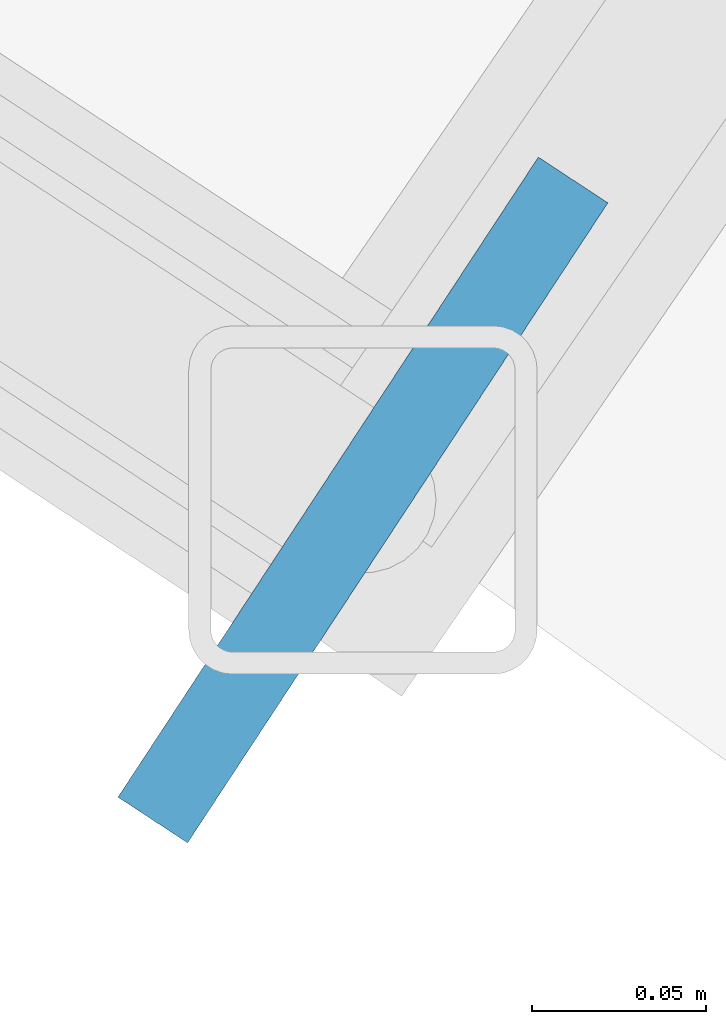
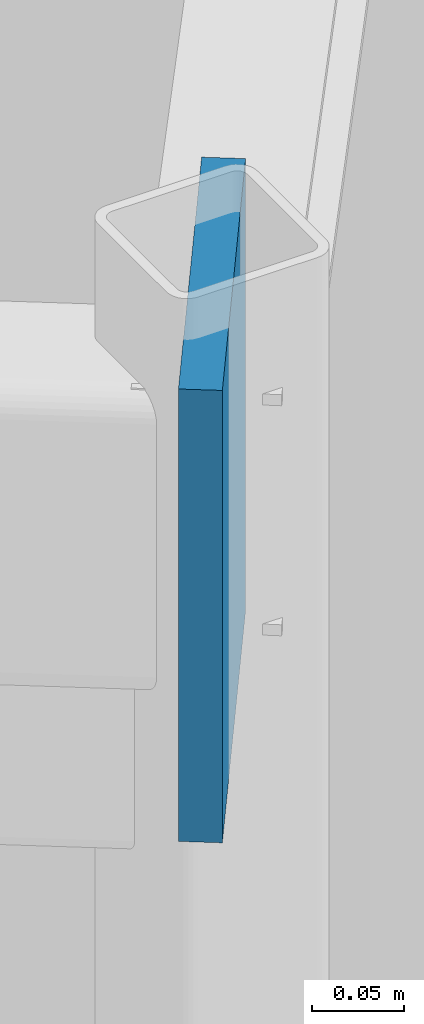
# One storey, part 85 of 137: 1 plate.
"""IFC4 building model written with IfcOpenShell, lengths in metres."""

from ifc_helpers import new_model, si_unit, direction, frame, origin, origin_2d, place, context, subcontext, project, spatial, rectangle, extrude, material, layer, layer_set, type_object, element, save


model = new_model("IFC4")

# Units and contexts
model_context = context("Model", 3, precision=1e-05, world=origin(), true_north=direction((0.0, 1.0)))
body_context = subcontext(model_context, "Body", "Model", "MODEL_VIEW")
ifc_project = project(units=[si_unit("LENGTHUNIT", "METRE"), si_unit("AREAUNIT", "SQUARE_METRE"), si_unit("VOLUMEUNIT", "CUBIC_METRE"), si_unit("PLANEANGLEUNIT", "RADIAN"), si_unit("MASSUNIT", "GRAM", prefix="KILO"), si_unit("POWERUNIT", "WATT"), si_unit("THERMODYNAMICTEMPERATUREUNIT", "KELVIN")], contexts=[model_context])

# Site, building, storey
site_placement = place(None, origin())
site = spatial("IfcSite", under=ifc_project, at=site_placement, CompositionType="ELEMENT")
building_placement = place(site_placement, origin())
building = spatial("IfcBuilding", under=site, at=building_placement, Name="Ruvembo Vaulted Housing Court", CompositionType="ELEMENT")
storey_placement = place(building_placement, frame((0.0, 0.0, 4.5)))
storey = spatial("IfcBuildingStorey", under=building, at=storey_placement, Name="L01", CompositionType="ELEMENT", Elevation=4.5)

# Plate
ifc_material = material(Name="Steel S355J2", Category="steel")
ifc_layer = layer(ifc_material, 0.01611328125, Name="Steel S355J2")
ifc_layer_set = layer_set([ifc_layer], Name="Steel S355J2")
plate_type = type_object("IfcPlateType", Name="PL-NODE-GUSSET-16", PredefinedType="USERDEFINED", material=ifc_layer_set)
plate_placement = place(storey_placement, frame((142.9326171875, 87.751220703125, 2.68994140625), z_axis=(0.0, 0.0, 1.0), x_axis=(0.835845688355, -0.548964466299, 0.0)))
element("IfcPlate", 1, at=plate_placement, inside=storey, type_object=plate_type, Name="Scoop SC3 L01 Hollow Spandrel End Cap Plate 28", ObjectType="GUSSET_PLATE", PredefinedType="USERDEFINED", context=body_context, shape_type="SweptSolid", body=[
    extrude(rectangle(XDim=0.02392578125, YDim=0.219970703125, at=origin_2d()), origin(), (0.0, 0.0, 1.0), 0.300048828125),
])

save(model, "model.ifc")
